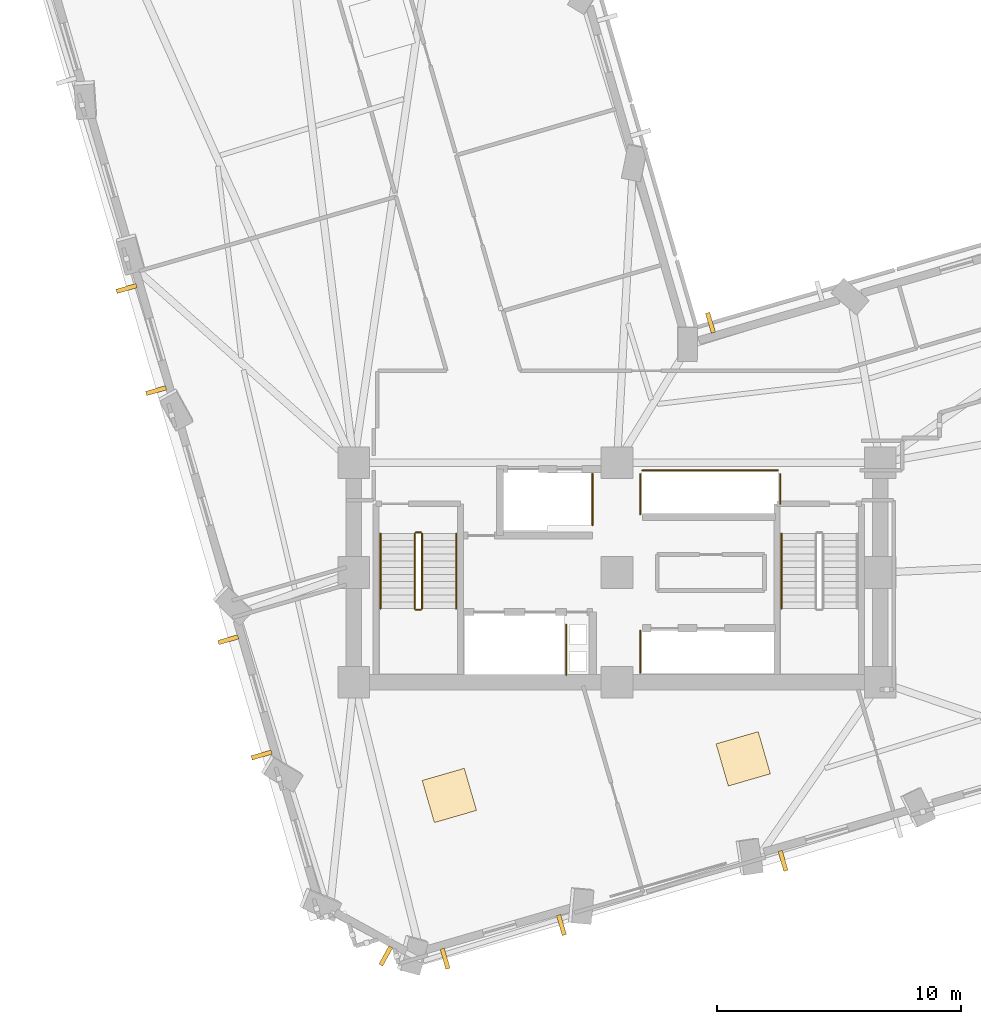
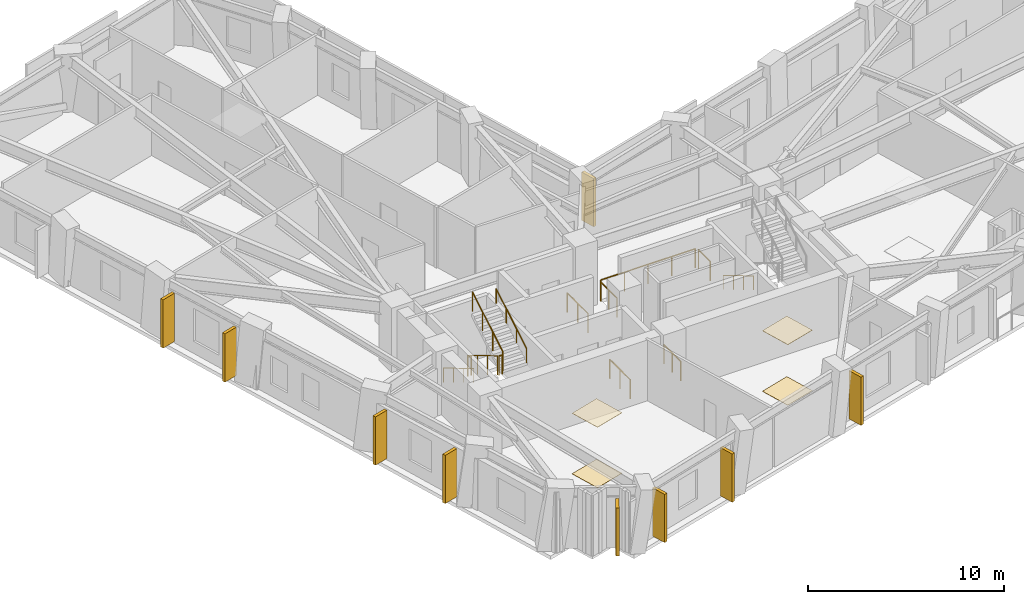
# One storey, part 12 of 15: 13 railings, 9 shading devices, 4 coverings.
"""IFC4 building model written with IfcOpenShell, lengths in metres."""

from ifc_helpers import new_model, si_unit, direction, frame, origin, origin_2d, place, context, subcontext, project, spatial, rectangle, circle, extrude, material, layer, layer_set, type_object, element, save


model = new_model("IFC4")

# Units and contexts
model_context = context("Model", 3, precision=1e-05, world=origin(), true_north=direction((0.0, 1.0)))
body_context = subcontext(model_context, "Body", "Model", "MODEL_VIEW")
ifc_project = project(units=[si_unit("LENGTHUNIT", "METRE"), si_unit("AREAUNIT", "SQUARE_METRE"), si_unit("VOLUMEUNIT", "CUBIC_METRE"), si_unit("PLANEANGLEUNIT", "RADIAN"), si_unit("MASSUNIT", "GRAM", prefix="KILO")], contexts=[model_context])

# Site, building, storey
site_placement = place(None, origin())
site = spatial("IfcSite", under=ifc_project, at=site_placement, CompositionType="ELEMENT")
building_placement = place(site_placement, origin())
building = spatial("IfcBuilding", under=site, at=building_placement, Name="Gaonmaruhae Medical Tower", CompositionType="ELEMENT")
storey_placement = place(building_placement, frame((0.0, 0.0, 92.39990234375)))
storey = spatial("IfcBuildingStorey", under=building, at=storey_placement, Name="L21", CompositionType="ELEMENT", Elevation=92.39990234375)

# Coverings
ifc_material_1 = material(Name="Acoustic mineral ceiling tile", Category="finish")
ifc_layer_1 = layer(ifc_material_1, 0.02490234375)
ifc_layer_set_1 = layer_set([ifc_layer_1], Name="Acoustic mineral ceiling tile")
covering_type_1 = type_object("IfcCoveringType", Name="CLG-01 Antimicrobial Acoustic Mineral Ceiling", PredefinedType="CEILING", material=ifc_layer_set_1)
for number, where, z_axis, x_axis, name in (
    (1, (17.922119140625, 3.15380859375, 3.755126953125), (0.0, 0.0, 1.0), (0.960536785663, 0.278152985584, 0.0), "L21 Clinical Room Acoustic Ceiling 2"),
    (2, (29.980224609375, 4.656005859375, 3.755126953125), (0.0, 0.0, 1.0), (0.960536785663, 0.278152985584, 0.0), "L21 Clinical Room Acoustic Ceiling 3"),
):
    element("IfcCovering", number, at=place(storey_placement, frame(where, z_axis=z_axis, x_axis=x_axis)), inside=storey, type_object=covering_type_1, Name=name, PredefinedType="CEILING", context=body_context, shape_type="SweptSolid", body=[
        extrude(rectangle(XDim=1.800048828125, YDim=1.800048828125, at=origin_2d()), origin(), (0.0, 0.0, 1.0), 0.02490234375),
    ])
ifc_material_2 = material(Name="Seamless clinical vinyl flooring", Category="finish")
ifc_layer_2 = layer(ifc_material_2, 0.014892578125)
ifc_layer_set_2 = layer_set([ifc_layer_2], Name="Seamless clinical vinyl flooring")
covering_type_2 = type_object("IfcCoveringType", Name="FLR-01 Seamless Clinical Antistatic Vinyl Flooring", PredefinedType="FLOORING", material=ifc_layer_set_2)
for number, where, z_axis, x_axis, name in (
    (3, (17.922119140625, 3.15380859375, 0.0), (0.0, 0.0, 1.0), (0.960536785663, 0.278152985584, 0.0), "L21 Clinical Room Vinyl Flooring 2"),
    (4, (29.980224609375, 4.656005859375, 0.0), (0.0, 0.0, 1.0), (0.960536785663, 0.278152985584, 0.0), "L21 Clinical Room Vinyl Flooring 3"),
):
    element("IfcCovering", number, at=place(storey_placement, frame(where, z_axis=z_axis, x_axis=x_axis)), inside=storey, type_object=covering_type_2, Name=name, PredefinedType="FLOORING", context=body_context, shape_type="SweptSolid", body=[
        extrude(rectangle(XDim=1.800048828125, YDim=1.800048828125, at=origin_2d()), origin(), (0.0, 0.0, 1.0), 0.014892578125),
    ])

# Railings
ifc_material_3 = material(Name="Stainless steel 304 handrail", Category="steel")
railing_type_1 = type_object("IfcRailingType", Name="HR-092 Continuous Stainless Steel Stair Handrail", PredefinedType="HANDRAIL", material=ifc_material_3)
railing_1_placement = place(storey_placement, frame((15.10009765625, 13.89990234375, 0.166748046875)))
element("IfcRailing", 5, at=railing_1_placement, inside=storey, type_object=railing_type_1, Name="L21 ST-01 stair handrail 1", PredefinedType="HANDRAIL", context=body_context, shape_type="SweptSolid", body=[
    extrude(circle(Radius=0.02392578125, at=origin_2d()), frame((0.0, 0.0, 0.8759765625), z_axis=(0.0, -0.859290745958, 0.51148745235), x_axis=(1.0, 0.0, 0.0)), (0.0, 0.0, 1.0), 3.584228515625),
    extrude(circle(Radius=0.02099609375, at=origin_2d()), origin(), (0.0, 0.0, 1.0), 0.851806640625),
    extrude(circle(Radius=0.02099609375, at=origin_2d()), frame((0.0, -1.026611328125, 0.611083984375)), (0.0, 0.0, 1.0), 0.851806640625),
    extrude(circle(Radius=0.02099609375, at=origin_2d()), frame((0.0, -2.05322265625, 1.22216796875)), (0.0, 0.0, 1.0), 0.851806640625),
    extrude(circle(Radius=0.02099609375, at=origin_2d()), frame((0.0, -3.079833984375, 1.833251953125)), (0.0, 0.0, 1.0), 0.851806640625),
])
railing_2_placement = place(storey_placement, frame((18.199951171875, 10.820068359375, 2.166748046875)))
element("IfcRailing", 6, at=railing_2_placement, inside=storey, type_object=railing_type_1, Name="L21 ST-01 stair handrail 2", PredefinedType="HANDRAIL", context=body_context, shape_type="SweptSolid", body=[
    extrude(circle(Radius=0.02392578125, at=origin_2d()), frame((0.0, 0.0, 0.8759765625), z_axis=(0.0, 0.859290745958, 0.51148745235), x_axis=(-1.0, 0.0, 0.0)), (0.0, 0.0, 1.0), 3.584228515625),
    extrude(circle(Radius=0.02099609375, at=origin_2d()), origin(), (0.0, 0.0, 1.0), 0.851806640625),
    extrude(circle(Radius=0.02099609375, at=origin_2d()), frame((0.0, 1.026611328125, 0.611083984375)), (0.0, 0.0, 1.0), 0.851806640625),
    extrude(circle(Radius=0.02099609375, at=origin_2d()), frame((0.0, 2.05322265625, 1.22216796875)), (0.0, 0.0, 1.0), 0.851806640625),
    extrude(circle(Radius=0.02099609375, at=origin_2d()), frame((0.0, 3.079833984375, 1.833251953125)), (0.0, 0.0, 1.0), 0.851806640625),
])
railing_3_placement = place(storey_placement, frame((31.550048828125, 13.89990234375, 0.166748046875)))
element("IfcRailing", 7, at=railing_3_placement, inside=storey, type_object=railing_type_1, Name="L21 ST-02 stair handrail 1", PredefinedType="HANDRAIL", context=body_context, shape_type="SweptSolid", body=[
    extrude(circle(Radius=0.02392578125, at=origin_2d()), frame((0.0, 0.0, 0.8759765625), z_axis=(0.0, -0.859290745958, 0.51148745235), x_axis=(1.0, 0.0, 0.0)), (0.0, 0.0, 1.0), 3.584228515625),
    extrude(circle(Radius=0.02099609375, at=origin_2d()), origin(), (0.0, 0.0, 1.0), 0.851806640625),
    extrude(circle(Radius=0.02099609375, at=origin_2d()), frame((0.0, -1.026611328125, 0.611083984375)), (0.0, 0.0, 1.0), 0.851806640625),
    extrude(circle(Radius=0.02099609375, at=origin_2d()), frame((0.0, -2.05322265625, 1.22216796875)), (0.0, 0.0, 1.0), 0.851806640625),
    extrude(circle(Radius=0.02099609375, at=origin_2d()), frame((0.0, -3.079833984375, 1.833251953125)), (0.0, 0.0, 1.0), 0.851806640625),
])

# Shading devices
ifc_material_4 = material(Name="Pigmented coral precast concrete C45/55", Category="concrete")
shading_device_type = type_object("IfcShadingDeviceType", Name="SD-FIN1 Tower Vertical Coral Precast Shading Fin", PredefinedType="USERDEFINED", material=ifc_material_4)
for number, where, z_axis, x_axis, name in (
    (8, (22.521728515625, -2.160400390625, 0.08251953125), (0.0, 0.0, 1.0), (-0.960536785663, -0.278152985584, 0.0), "L21 Vertical Coral Precast Shading Fin S01"),
    (9, (17.748046875, -3.542724609375, 0.08251953125), (0.0, 0.0, 1.0), (-0.960536785663, -0.278152985584, 0.0), "L21 Vertical Coral Precast Shading Fin S01B"),
    (10, (31.613037109375, 0.472412109375, 0.08251953125), (0.0, 0.0, 1.0), (-0.960536785663, -0.278152985584, 0.0), "L21 Vertical Coral Precast Shading Fin S03B"),
    (11, (28.63623046875, 22.54541015625, 0.08251953125), (0.0, 0.0, 1.0), (0.960536785663, 0.278152985584, 0.0), "L21 Vertical Coral Precast Shading Fin EN03"),
    (12, (5.892578125, 19.7626953125, 0.08251953125), (0.0, 0.0, 1.0), (-0.278152985584, 0.960536785663, 0.0), "L21 Vertical Coral Precast Shading Fin W03"),
    (13, (4.679443359375, 23.95263671875, 0.08251953125), (0.0, 0.0, 1.0), (-0.278152985584, 0.960536785663, 0.0), "L21 Vertical Coral Precast Shading Fin W03B"),
    (14, (10.221435546875, 4.814697265625, 0.08251953125), (0.0, 0.0, 1.0), (-0.278152985584, 0.960536785663, 0.0), "L21 Vertical Coral Precast Shading Fin W05"),
    (15, (8.851806640625, 9.5439453125, 0.08251953125), (0.0, 0.0, 1.0), (-0.278152985584, 0.960536785663, 0.0), "L21 Vertical Coral Precast Shading Fin W05B"),
    (16, (15.31494140625, -3.4326171875, 0.08251953125), (0.0, 0.0, 1.0), (-0.875885937035, 0.482518212408, 0.0), "L21 Vertical Coral Precast Shading Fin W07"),
):
    element("IfcShadingDevice", number, at=place(storey_placement, frame(where, z_axis=z_axis, x_axis=x_axis)), inside=storey, type_object=shading_device_type, Name=name, ObjectType="FIN", PredefinedType="USERDEFINED", context=body_context, shape_type="SweptSolid", body=[
        extrude(rectangle(XDim=0.179931640625, YDim=0.85009765625, at=origin_2d()), origin(), (0.0, 0.0, 1.0), 3.0),
    ])

# Railings
ifc_material_5 = material(Name="Stainless steel 304 balustrade", Category="steel")
railing_type_2 = type_object("IfcRailingType", Name="SG-112 Stair Well & Ramp Void Safety Balustrade", PredefinedType="BALUSTRADE", material=ifc_material_5)
railing_4_placement = place(storey_placement, frame((16.5, 13.89990234375, 0.166748046875)))
element("IfcRailing", 17, at=railing_4_placement, inside=storey, type_object=railing_type_2, Name="L21 ST-01 stair guard 1", PredefinedType="BALUSTRADE", context=body_context, shape_type="SweptSolid", body=[
    extrude(circle(Radius=0.02392578125, at=origin_2d()), frame((0.0, 0.0, 1.17578125), z_axis=(0.0, -0.859290745958, 0.51148745235), x_axis=(1.0, 0.0, 0.0)), (0.0, 0.0, 1.0), 3.584228515625),
    extrude(circle(Radius=0.02099609375, at=origin_2d()), origin(), (0.0, 0.0, 1.0), 1.15185546875),
    extrude(circle(Radius=0.02099609375, at=origin_2d()), frame((0.0, -1.026611328125, 0.611083984375)), (0.0, 0.0, 1.0), 1.15185546875),
    extrude(circle(Radius=0.02099609375, at=origin_2d()), frame((0.0, -2.05322265625, 1.22216796875)), (0.0, 0.0, 1.0), 1.15185546875),
    extrude(circle(Radius=0.02099609375, at=origin_2d()), frame((0.0, -3.079833984375, 1.833251953125)), (0.0, 0.0, 1.0), 1.15185546875),
])
railing_5_placement = place(storey_placement, frame((16.550048828125, 10.77001953125, 2.0)))
element("IfcRailing", 18, at=railing_5_placement, inside=storey, type_object=railing_type_2, Name="L21 ST-01 stair guard 2", PredefinedType="BALUSTRADE", context=body_context, shape_type="SweptSolid", body=[
    extrude(circle(Radius=0.02392578125, at=origin_2d()), frame((0.0, 0.0, 1.17578125), z_axis=(1.0, 0.0, 0.0), x_axis=(0.0, 1.0, 0.0)), (0.0, 0.0, 1.0), 0.199951171875),
    extrude(circle(Radius=0.02099609375, at=origin_2d()), origin(), (0.0, 0.0, 1.0), 1.15185546875),
    extrude(circle(Radius=0.02099609375, at=origin_2d()), frame((0.199951171875, 0.0, 0.0)), (0.0, 0.0, 1.0), 1.15185546875),
])
railing_6_placement = place(storey_placement, frame((16.800048828125, 10.820068359375, 2.166748046875)))
element("IfcRailing", 19, at=railing_6_placement, inside=storey, type_object=railing_type_2, Name="L21 ST-01 stair guard 3", PredefinedType="BALUSTRADE", context=body_context, shape_type="SweptSolid", body=[
    extrude(circle(Radius=0.02392578125, at=origin_2d()), frame((0.0, 0.0, 1.17578125), z_axis=(0.0, 0.859290745958, 0.51148745235), x_axis=(-1.0, 0.0, 0.0)), (0.0, 0.0, 1.0), 3.584228515625),
    extrude(circle(Radius=0.02099609375, at=origin_2d()), origin(), (0.0, 0.0, 1.0), 1.15185546875),
    extrude(circle(Radius=0.02099609375, at=origin_2d()), frame((0.0, 1.026611328125, 0.611083984375)), (0.0, 0.0, 1.0), 1.15185546875),
    extrude(circle(Radius=0.02099609375, at=origin_2d()), frame((0.0, 2.05322265625, 1.22216796875)), (0.0, 0.0, 1.0), 1.15185546875),
    extrude(circle(Radius=0.02099609375, at=origin_2d()), frame((0.0, 3.079833984375, 1.833251953125)), (0.0, 0.0, 1.0), 1.15185546875),
])
railing_7_placement = place(storey_placement, frame((16.550048828125, 13.949951171875, 0.0)))
element("IfcRailing", 20, at=railing_7_placement, inside=storey, type_object=railing_type_2, Name="L21 ST-01 stair guard 4", PredefinedType="BALUSTRADE", context=body_context, shape_type="SweptSolid", body=[
    extrude(circle(Radius=0.02392578125, at=origin_2d()), frame((0.0, 0.0, 1.17578125), z_axis=(1.0, 0.0, 0.0), x_axis=(0.0, 1.0, 0.0)), (0.0, 0.0, 1.0), 0.199951171875),
    extrude(circle(Radius=0.02099609375, at=origin_2d()), origin(), (0.0, 0.0, 1.0), 1.15185546875),
    extrude(circle(Radius=0.02099609375, at=origin_2d()), frame((0.199951171875, 0.0, 0.0)), (0.0, 0.0, 1.0), 1.15185546875),
])
railing_8_placement = place(storey_placement, frame((25.7548828125, 8.195068359375, 0.0)))
element("IfcRailing", 21, at=railing_8_placement, inside=storey, type_object=railing_type_2, Name="L21 Shaft Edge Safety Guard 06", PredefinedType="BALUSTRADE", context=body_context, shape_type="SweptSolid", body=[
    extrude(circle(Radius=0.02392578125, at=origin_2d()), frame((0.0, 0.0, 1.17578125), z_axis=(0.0, 1.0, 0.0), x_axis=(-1.0, 0.0, 0.0)), (0.0, 0.0, 1.0), 1.7099609375),
    extrude(circle(Radius=0.02099609375, at=origin_2d()), origin(), (0.0, 0.0, 1.0), 1.15185546875),
    extrude(circle(Radius=0.02099609375, at=origin_2d()), frame((0.0, 0.85498046875, 0.0)), (0.0, 0.0, 1.0), 1.15185546875),
    extrude(circle(Radius=0.02099609375, at=origin_2d()), frame((0.0, 1.7099609375, 0.0)), (0.0, 0.0, 1.0), 1.15185546875),
])
railing_9_placement = place(storey_placement, frame((22.719970703125, 10.159912109375, 0.0)))
element("IfcRailing", 22, at=railing_9_placement, inside=storey, type_object=railing_type_2, Name="L21 Shaft Edge Safety Guard 07", PredefinedType="BALUSTRADE", context=body_context, shape_type="SweptSolid", body=[
    extrude(circle(Radius=0.02392578125, at=origin_2d()), frame((0.0, 0.0, 1.17578125), z_axis=(0.0, -1.0, 0.0), x_axis=(1.0, 0.0, 0.0)), (0.0, 0.0, 1.0), 2.06494140625),
    extrude(circle(Radius=0.02099609375, at=origin_2d()), origin(), (0.0, 0.0, 1.0), 1.15185546875),
    extrude(circle(Radius=0.02099609375, at=origin_2d()), frame((0.0, -1.032470703125, 0.0)), (0.0, 0.0, 1.0), 1.15185546875),
    extrude(circle(Radius=0.02099609375, at=origin_2d()), frame((0.0, -2.06494140625, 0.0)), (0.0, 0.0, 1.0), 1.15185546875),
])
railing_10_placement = place(storey_placement, frame((23.794921875, 16.35498046875, 0.0)))
element("IfcRailing", 23, at=railing_10_placement, inside=storey, type_object=railing_type_2, Name="L21 Shaft Edge Safety Guard 08", PredefinedType="BALUSTRADE", context=body_context, shape_type="SweptSolid", body=[
    extrude(circle(Radius=0.02392578125, at=origin_2d()), frame((0.0, 0.0, 1.17578125), z_axis=(0.0, -1.0, 0.0), x_axis=(1.0, 0.0, 0.0)), (0.0, 0.0, 1.0), 2.10986328125),
    extrude(circle(Radius=0.02099609375, at=origin_2d()), origin(), (0.0, 0.0, 1.0), 1.15185546875),
    extrude(circle(Radius=0.02099609375, at=origin_2d()), frame((0.0, -1.054931640625, 0.0)), (0.0, 0.0, 1.0), 1.15185546875),
    extrude(circle(Radius=0.02099609375, at=origin_2d()), frame((0.0, -2.10986328125, 0.0)), (0.0, 0.0, 1.0), 1.15185546875),
])
railing_11_placement = place(storey_placement, frame((25.844970703125, 16.4951171875, 0.0)))
element("IfcRailing", 24, at=railing_11_placement, inside=storey, type_object=railing_type_2, Name="L21 Shaft Edge Safety Guard 09", PredefinedType="BALUSTRADE", context=body_context, shape_type="SweptSolid", body=[
    extrude(circle(Radius=0.02392578125, at=origin_2d()), frame((0.0, 0.0, 1.17578125), z_axis=(1.0, 0.0, 0.0), x_axis=(0.0, 1.0, 0.0)), (0.0, 0.0, 1.0), 5.56005859375),
    extrude(circle(Radius=0.02099609375, at=origin_2d()), origin(), (0.0, 0.0, 1.0), 1.15185546875),
    extrude(circle(Radius=0.02099609375, at=origin_2d()), frame((1.39013671875, 0.0, 0.0)), (0.0, 0.0, 1.0), 1.15185546875),
    extrude(circle(Radius=0.02099609375, at=origin_2d()), frame((2.780029296875, 0.0, 0.0)), (0.0, 0.0, 1.0), 1.15185546875),
    extrude(circle(Radius=0.02099609375, at=origin_2d()), frame((4.169921875, 0.0, 0.0)), (0.0, 0.0, 1.0), 1.15185546875),
    extrude(circle(Radius=0.02099609375, at=origin_2d()), frame((5.56005859375, 0.0, 0.0)), (0.0, 0.0, 1.0), 1.15185546875),
])
railing_12_placement = place(storey_placement, frame((31.4951171875, 16.330078125, 0.0)))
element("IfcRailing", 25, at=railing_12_placement, inside=storey, type_object=railing_type_2, Name="L21 Shaft Edge Safety Guard 10", PredefinedType="BALUSTRADE", context=body_context, shape_type="SweptSolid", body=[
    extrude(circle(Radius=0.02392578125, at=origin_2d()), frame((0.0, 0.0, 1.17578125), z_axis=(0.0, -1.0, 0.0), x_axis=(1.0, 0.0, 0.0)), (0.0, 0.0, 1.0), 1.2099609375),
    extrude(circle(Radius=0.02099609375, at=origin_2d()), origin(), (0.0, 0.0, 1.0), 1.15185546875),
    extrude(circle(Radius=0.02099609375, at=origin_2d()), frame((0.0, -1.2099609375, 0.0)), (0.0, 0.0, 1.0), 1.15185546875),
])
railing_13_placement = place(storey_placement, frame((25.7548828125, 14.695068359375, 0.0)))
element("IfcRailing", 26, at=railing_13_placement, inside=storey, type_object=railing_type_2, Name="L21 Shaft Edge Safety Guard 11", PredefinedType="BALUSTRADE", context=body_context, shape_type="SweptSolid", body=[
    extrude(circle(Radius=0.02392578125, at=origin_2d()), frame((0.0, 0.0, 1.17578125), z_axis=(0.0, 1.0, 0.0), x_axis=(-1.0, 0.0, 0.0)), (0.0, 0.0, 1.0), 1.635009765625),
    extrude(circle(Radius=0.02099609375, at=origin_2d()), origin(), (0.0, 0.0, 1.0), 1.15185546875),
    extrude(circle(Radius=0.02099609375, at=origin_2d()), frame((0.0, 0.8173828125, 0.0)), (0.0, 0.0, 1.0), 1.15185546875),
    extrude(circle(Radius=0.02099609375, at=origin_2d()), frame((0.0, 1.635009765625, 0.0)), (0.0, 0.0, 1.0), 1.15185546875),
])

save(model, "model.ifc")
